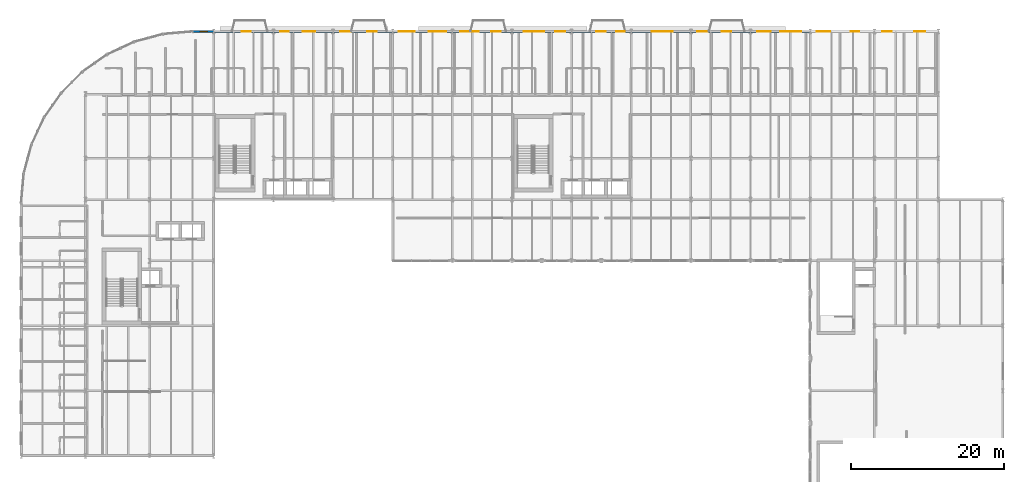
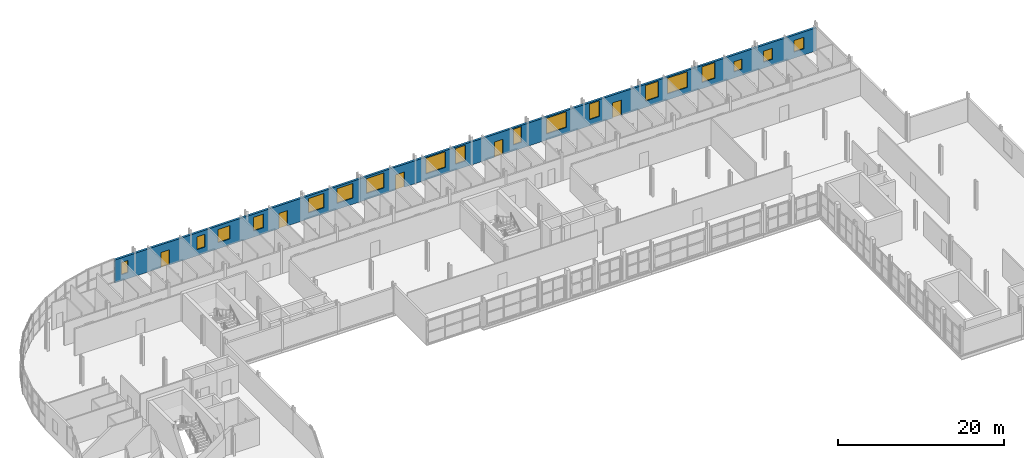
# One storey, part 38 of 45: 18 windows, 5 doors, 1 wall, 23 openings.
"""IFC4 building model written with IfcOpenShell, lengths in metres."""

from ifc_helpers import new_model, si_unit, direction, frame, frame_2d, origin, place, context, subcontext, project, spatial, rectangle, extrude, material, layer, layer_set, type_object, element, fill, save


model = new_model("IFC4")

# Units and contexts
model_context = context("Model", 3, precision=1e-05, world=origin(), true_north=direction((0.0, 1.0)))
body_context = subcontext(model_context, "Body", "Model", "MODEL_VIEW")
ifc_project = project(units=[si_unit("LENGTHUNIT", "METRE"), si_unit("AREAUNIT", "SQUARE_METRE"), si_unit("VOLUMEUNIT", "CUBIC_METRE"), si_unit("PLANEANGLEUNIT", "RADIAN"), si_unit("MASSUNIT", "GRAM", prefix="KILO")], contexts=[model_context])

# Site, building, storey
site_placement = place(None, origin())
site = spatial("IfcSite", under=ifc_project, at=site_placement, CompositionType="ELEMENT")
building_placement = place(site_placement, origin())
building = spatial("IfcBuilding", under=site, at=building_placement, Name="Sefraquen Railside Congress Hotel", CompositionType="ELEMENT")
storey_placement = place(building_placement, frame((0.0, 0.0, 20.39990234375)))
storey = spatial("IfcBuildingStorey", under=building, at=storey_placement, Name="L04", CompositionType="ELEMENT", Elevation=20.39990234375)

# Wall, openings, doors, windows
ifc_material_1 = material(Name="Ochre Rabat calcarenite limestone and Concrete C40/50 backing", Category="masonry")
ifc_layer = layer(ifc_material_1, 0.300048828125)
ifc_layer_set = layer_set([ifc_layer], Name="Ochre Rabat calcarenite limestone and Concrete C40/50 backing")
wall_type = type_object("IfcWallType", Name="TW-EW-300", PredefinedType="STANDARD", material=ifc_layer_set)
wall_placement = place(storey_placement, frame((22.5, 118.0, 0.0), z_axis=(0.0, 0.0, 1.0), x_axis=(1.0, 0.0, 0.0)))
wall = element("IfcWall", 1, at=wall_placement, inside=storey, type_object=wall_type, Name="Hotel L04 North Boulevard limestone facade wall", PredefinedType="STANDARD", context=body_context, shape_type="SweptSolid", body=[
    extrude(rectangle(XDim=97.5, YDim=0.300048828125, at=frame_2d((48.75, 0.0))), origin(), (0.0, 0.0, 1.0), 3.380126953125),
])
opening_1_placement = place(wall_placement, frame((0.909912109375, 0.0, 0.89990234375)))
opening_1 = element("IfcOpeningElement", 2, at=opening_1_placement, cuts=wall, Name="Opening WN-01", PredefinedType="OPENING", context=body_context, shape_type="SweptSolid", body=[
    extrude(rectangle(XDim=0.89990234375, YDim=1.800048828125, at=frame_2d((0.449951171875, 0.89990234375))), frame((0.0, 0.159912109375, 0.0), z_axis=(0.0, -1.0, 0.0), x_axis=(1.0, 0.0, 0.0)), (0.0, 0.0, 1.0), 0.320068359375),
])
opening_2_placement = place(wall_placement, frame((6.360107421875, 0.0, 0.0)))
opening_2 = element("IfcOpeningElement", 3, at=opening_2_placement, cuts=wall, Name="Opening BD-01", PredefinedType="OPENING", context=body_context, shape_type="SweptSolid", body=[
    extrude(rectangle(XDim=1.199951171875, YDim=2.25, at=frame_2d((0.60009765625, 1.125))), frame((0.0, 0.159912109375, 0.0), z_axis=(0.0, -1.0, 0.0), x_axis=(1.0, 0.0, 0.0)), (0.0, 0.0, 1.0), 0.320068359375),
])
opening_3_placement = place(wall_placement, frame((11.409912109375, 0.0, 0.89990234375)))
opening_3 = element("IfcOpeningElement", 4, at=opening_3_placement, cuts=wall, Name="Opening WN-03", PredefinedType="OPENING", context=body_context, shape_type="SweptSolid", body=[
    extrude(rectangle(XDim=1.10009765625, YDim=1.89990234375, at=frame_2d((0.550048828125, 0.949951171875))), frame((0.0, 0.159912109375, 0.0), z_axis=(0.0, -1.0, 0.0), x_axis=(1.0, 0.0, 0.0)), (0.0, 0.0, 1.0), 0.320068359375),
])
opening_4_placement = place(wall_placement, frame((14.3349609375, 0.0, 0.89990234375)))
opening_4 = element("IfcOpeningElement", 5, at=opening_4_placement, cuts=wall, Name="Opening WN-04", PredefinedType="OPENING", context=body_context, shape_type="SweptSolid", body=[
    extrude(rectangle(XDim=1.64990234375, YDim=1.949951171875, at=frame_2d((0.824951171875, 0.97509765625))), frame((0.0, 0.159912109375, 0.0), z_axis=(0.0, -1.0, 0.0), x_axis=(1.0, 0.0, 0.0)), (0.0, 0.0, 1.0), 0.320068359375),
])
opening_5_placement = place(wall_placement, frame((19.260009765625, 0.0, 0.89990234375)))
opening_5 = element("IfcOpeningElement", 6, at=opening_5_placement, cuts=wall, Name="Opening WN-05", PredefinedType="OPENING", context=body_context, shape_type="SweptSolid", body=[
    extrude(rectangle(XDim=1.35009765625, YDim=2.0, at=frame_2d((0.675048828125, 1.0))), frame((0.0, 0.159912109375, 0.0), z_axis=(0.0, -1.0, 0.0), x_axis=(1.0, 0.0, 0.0)), (0.0, 0.0, 1.0), 0.320068359375),
])
opening_6_placement = place(wall_placement, frame((22.800048828125, 0.0, 0.0)))
opening_6 = element("IfcOpeningElement", 7, at=opening_6_placement, cuts=wall, Name="Opening BD-01", PredefinedType="OPENING", context=body_context, shape_type="SweptSolid", body=[
    extrude(rectangle(XDim=1.199951171875, YDim=2.25, at=frame_2d((0.60009765625, 1.125))), frame((0.0, 0.159912109375, 0.0), z_axis=(0.0, -1.0, 0.0), x_axis=(1.0, 0.0, 0.0)), (0.0, 0.0, 1.0), 0.320068359375),
])
opening_7_placement = place(wall_placement, frame((26.909912109375, 0.0, 0.89990234375)))
opening_7 = element("IfcOpeningElement", 8, at=opening_7_placement, cuts=wall, Name="Opening WN-07", PredefinedType="OPENING", context=body_context, shape_type="SweptSolid", body=[
    extrude(rectangle(XDim=2.10009765625, YDim=2.10009765625, at=frame_2d((1.050048828125, 1.050048828125))), frame((0.0, 0.159912109375, 0.0), z_axis=(0.0, -1.0, 0.0), x_axis=(1.0, 0.0, 0.0)), (0.0, 0.0, 1.0), 0.320068359375),
])
opening_8_placement = place(wall_placement, frame((30.8349609375, 0.0, 0.89990234375)))
opening_8 = element("IfcOpeningElement", 9, at=opening_8_placement, cuts=wall, Name="Opening WN-08", PredefinedType="OPENING", context=body_context, shape_type="SweptSolid", body=[
    extrude(rectangle(XDim=2.25, YDim=2.14990234375, at=frame_2d((1.125, 1.074951171875))), frame((0.0, 0.159912109375, 0.0), z_axis=(0.0, -1.0, 0.0), x_axis=(1.0, 0.0, 0.0)), (0.0, 0.0, 1.0), 0.320068359375),
])
opening_9_placement = place(wall_placement, frame((34.9599609375, 0.0, 0.89990234375)))
opening_9 = element("IfcOpeningElement", 10, at=opening_9_placement, cuts=wall, Name="Opening WN-09", PredefinedType="OPENING", context=body_context, shape_type="SweptSolid", body=[
    extrude(rectangle(XDim=2.39990234375, YDim=2.199951171875, at=frame_2d((1.199951171875, 1.10009765625))), frame((0.0, 0.159912109375, 0.0), z_axis=(0.0, -1.0, 0.0), x_axis=(1.0, 0.0, 0.0)), (0.0, 0.0, 1.0), 0.320068359375),
])
opening_10_placement = place(wall_placement, frame((39.0, 0.0, 0.0)))
opening_10 = element("IfcOpeningElement", 11, at=opening_10_placement, cuts=wall, Name="Opening BD-01", PredefinedType="OPENING", context=body_context, shape_type="SweptSolid", body=[
    extrude(rectangle(XDim=1.199951171875, YDim=2.25, at=frame_2d((0.60009765625, 1.125))), frame((0.0, 0.159912109375, 0.0), z_axis=(0.0, -1.0, 0.0), x_axis=(1.0, 0.0, 0.0)), (0.0, 0.0, 1.0), 0.320068359375),
])
opening_11_placement = place(wall_placement, frame((43.2099609375, 0.0, 0.89990234375)))
opening_11 = element("IfcOpeningElement", 12, at=opening_11_placement, cuts=wall, Name="Opening WN-11", PredefinedType="OPENING", context=body_context, shape_type="SweptSolid", body=[
    extrude(rectangle(XDim=2.699951171875, YDim=2.300048828125, at=frame_2d((1.35009765625, 1.14990234375))), frame((0.0, 0.159912109375, 0.0), z_axis=(0.0, -1.0, 0.0), x_axis=(1.0, 0.0, 0.0)), (0.0, 0.0, 1.0), 0.320068359375),
])
opening_12_placement = place(wall_placement, frame((47.3349609375, 0.0, 0.89990234375)))
opening_12 = element("IfcOpeningElement", 13, at=opening_12_placement, cuts=wall, Name="Opening WN-12", PredefinedType="OPENING", context=body_context, shape_type="SweptSolid", body=[
    extrude(rectangle(XDim=1.35009765625, YDim=2.300048828125, at=frame_2d((0.675048828125, 1.14990234375))), frame((0.0, 0.159912109375, 0.0), z_axis=(0.0, -1.0, 0.0), x_axis=(1.0, 0.0, 0.0)), (0.0, 0.0, 1.0), 0.320068359375),
])
opening_13_placement = place(wall_placement, frame((52.739990234375, 0.0, 0.0)))
opening_13 = element("IfcOpeningElement", 14, at=opening_13_placement, cuts=wall, Name="Opening BD-01", PredefinedType="OPENING", context=body_context, shape_type="SweptSolid", body=[
    extrude(rectangle(XDim=1.199951171875, YDim=2.25, at=frame_2d((0.60009765625, 1.125))), frame((0.0, 0.159912109375, 0.0), z_axis=(0.0, -1.0, 0.0), x_axis=(1.0, 0.0, 0.0)), (0.0, 0.0, 1.0), 0.320068359375),
])
opening_14_placement = place(wall_placement, frame((55.360107421875, 0.0, 0.89990234375)))
opening_14 = element("IfcOpeningElement", 15, at=opening_14_placement, cuts=wall, Name="Opening WN-14", PredefinedType="OPENING", context=body_context, shape_type="SweptSolid", body=[
    extrude(rectangle(XDim=1.10009765625, YDim=2.300048828125, at=frame_2d((0.550048828125, 1.14990234375))), frame((0.0, 0.159912109375, 0.0), z_axis=(0.0, -1.0, 0.0), x_axis=(1.0, 0.0, 0.0)), (0.0, 0.0, 1.0), 0.320068359375),
])
opening_15_placement = place(wall_placement, frame((59.989990234375, 0.0, 0.89990234375)))
opening_15 = element("IfcOpeningElement", 16, at=opening_15_placement, cuts=wall, Name="Opening WN-15", PredefinedType="OPENING", context=body_context, shape_type="SweptSolid", body=[
    extrude(rectangle(XDim=2.739990234375, YDim=2.300048828125, at=frame_2d((1.3701171875, 1.14990234375))), frame((0.0, 0.159912109375, 0.0), z_axis=(0.0, -1.0, 0.0), x_axis=(1.0, 0.0, 0.0)), (0.0, 0.0, 1.0), 0.320068359375),
])
opening_16_placement = place(wall_placement, frame((65.949951171875, 0.0, 0.89990234375)))
opening_16 = element("IfcOpeningElement", 17, at=opening_16_placement, cuts=wall, Name="Opening WN-16", PredefinedType="OPENING", context=body_context, shape_type="SweptSolid", body=[
    extrude(rectangle(XDim=1.35009765625, YDim=2.300048828125, at=frame_2d((0.675048828125, 1.14990234375))), frame((0.0, 0.159912109375, 0.0), z_axis=(0.0, -1.0, 0.0), x_axis=(1.0, 0.0, 0.0)), (0.0, 0.0, 1.0), 0.320068359375),
])
opening_17_placement = place(wall_placement, frame((69.159912109375, 0.0, 0.0)))
opening_17 = element("IfcOpeningElement", 18, at=opening_17_placement, cuts=wall, Name="Opening BD-01", PredefinedType="OPENING", context=body_context, shape_type="SweptSolid", body=[
    extrude(rectangle(XDim=1.199951171875, YDim=2.25, at=frame_2d((0.60009765625, 1.125))), frame((0.0, 0.159912109375, 0.0), z_axis=(0.0, -1.0, 0.0), x_axis=(1.0, 0.0, 0.0)), (0.0, 0.0, 1.0), 0.320068359375),
])
opening_18_placement = place(wall_placement, frame((73.75, 0.0, 0.89990234375)))
opening_18 = element("IfcOpeningElement", 19, at=opening_18_placement, cuts=wall, Name="Opening WN-18", PredefinedType="OPENING", context=body_context, shape_type="SweptSolid", body=[
    extrude(rectangle(XDim=1.800048828125, YDim=2.300048828125, at=frame_2d((0.89990234375, 1.14990234375))), frame((0.0, 0.159912109375, 0.0), z_axis=(0.0, -1.0, 0.0), x_axis=(1.0, 0.0, 0.0)), (0.0, 0.0, 1.0), 0.320068359375),
])
opening_19_placement = place(wall_placement, frame((76.7900390625, 0.0, 0.89990234375)))
opening_19 = element("IfcOpeningElement", 20, at=opening_19_placement, cuts=wall, Name="Opening WN-19", PredefinedType="OPENING", context=body_context, shape_type="SweptSolid", body=[
    extrude(rectangle(XDim=2.739990234375, YDim=2.300048828125, at=frame_2d((1.3701171875, 1.14990234375))), frame((0.0, 0.159912109375, 0.0), z_axis=(0.0, -1.0, 0.0), x_axis=(1.0, 0.0, 0.0)), (0.0, 0.0, 1.0), 0.320068359375),
])
opening_20_placement = place(wall_placement, frame((81.550048828125, 0.0, 0.89990234375)))
opening_20 = element("IfcOpeningElement", 21, at=opening_20_placement, cuts=wall, Name="Opening WN-20", PredefinedType="OPENING", context=body_context, shape_type="SweptSolid", body=[
    extrude(rectangle(XDim=1.800048828125, YDim=2.300048828125, at=frame_2d((0.89990234375, 1.14990234375))), frame((0.0, 0.159912109375, 0.0), z_axis=(0.0, -1.0, 0.0), x_axis=(1.0, 0.0, 0.0)), (0.0, 0.0, 1.0), 0.320068359375),
])
opening_21_placement = place(wall_placement, frame((86.010009765625, 0.0, 0.89990234375)))
opening_21 = element("IfcOpeningElement", 22, at=opening_21_placement, cuts=wall, Name="Opening WN-21", PredefinedType="OPENING", context=body_context, shape_type="SweptSolid", body=[
    extrude(rectangle(XDim=1.10009765625, YDim=1.5, at=frame_2d((0.550048828125, 0.75))), frame((0.0, 0.159912109375, 0.0), z_axis=(0.0, -1.0, 0.0), x_axis=(1.0, 0.0, 0.0)), (0.0, 0.0, 1.0), 0.320068359375),
])
opening_22_placement = place(wall_placement, frame((90.135009765625, 0.0, 0.89990234375)))
opening_22 = element("IfcOpeningElement", 23, at=opening_22_placement, cuts=wall, Name="Opening WN-22", PredefinedType="OPENING", context=body_context, shape_type="SweptSolid", body=[
    extrude(rectangle(XDim=1.25, YDim=1.60009765625, at=frame_2d((0.625, 0.800048828125))), frame((0.0, 0.159912109375, 0.0), z_axis=(0.0, -1.0, 0.0), x_axis=(1.0, 0.0, 0.0)), (0.0, 0.0, 1.0), 0.320068359375),
])
opening_23_placement = place(wall_placement, frame((94.340087890625, 0.0, 0.89990234375)))
opening_23 = element("IfcOpeningElement", 24, at=opening_23_placement, cuts=wall, Name="Opening WN-23", PredefinedType="OPENING", context=body_context, shape_type="SweptSolid", body=[
    extrude(rectangle(XDim=1.39990234375, YDim=1.699951171875, at=frame_2d((0.699951171875, 0.85009765625))), frame((0.0, 0.159912109375, 0.0), z_axis=(0.0, -1.0, 0.0), x_axis=(1.0, 0.0, 0.0)), (0.0, 0.0, 1.0), 0.320068359375),
])
ifc_material_2 = material(Name="Bronze and low-E fire-rated glass", Category="glass")
door_type = type_object("IfcDoorType", Name="TD-BD-01", OperationType="NOTDEFINED", PredefinedType="DOOR", material=ifc_material_2)
door_1_placement = place(opening_2_placement, origin())
door_1 = element("IfcDoor", 25, at=door_1_placement, inside=storey, type_object=door_type, Name="Guest balcony glazed door SP-L04-RM-002", OperationType="SINGLE_SWING_LEFT", OverallHeight=2.25, OverallWidth=1.199951171875, PredefinedType="DOOR", context=body_context, shape_type="SweptSolid", body=[
    extrude(rectangle(XDim=1.199951171875, YDim=2.25, at=frame_2d((0.60009765625, 1.125))), frame((0.0, 0.02490234375, 0.0), z_axis=(0.0, -1.0, 0.0), x_axis=(1.0, 0.0, 0.0)), (0.0, 0.0, 1.0), 0.050048828125),
])
fill(opening_2, door_1)
door_2_placement = place(opening_6_placement, origin())
door_2 = element("IfcDoor", 26, at=door_2_placement, inside=storey, type_object=door_type, Name="Guest balcony glazed door SP-L04-RM-006", OperationType="SINGLE_SWING_LEFT", OverallHeight=2.25, OverallWidth=1.199951171875, PredefinedType="DOOR", context=body_context, shape_type="SweptSolid", body=[
    extrude(rectangle(XDim=1.199951171875, YDim=2.25, at=frame_2d((0.60009765625, 1.125))), frame((0.0, 0.02490234375, 0.0), z_axis=(0.0, -1.0, 0.0), x_axis=(1.0, 0.0, 0.0)), (0.0, 0.0, 1.0), 0.050048828125),
])
fill(opening_6, door_2)
door_3_placement = place(opening_10_placement, origin())
door_3 = element("IfcDoor", 27, at=door_3_placement, inside=storey, type_object=door_type, Name="Guest balcony glazed door SP-L04-RM-010", OperationType="SINGLE_SWING_LEFT", OverallHeight=2.25, OverallWidth=1.199951171875, PredefinedType="DOOR", context=body_context, shape_type="SweptSolid", body=[
    extrude(rectangle(XDim=1.199951171875, YDim=2.25, at=frame_2d((0.60009765625, 1.125))), frame((0.0, 0.02490234375, 0.0), z_axis=(0.0, -1.0, 0.0), x_axis=(1.0, 0.0, 0.0)), (0.0, 0.0, 1.0), 0.050048828125),
])
fill(opening_10, door_3)
door_4_placement = place(opening_13_placement, origin())
door_4 = element("IfcDoor", 28, at=door_4_placement, inside=storey, type_object=door_type, Name="Guest balcony glazed door SP-L04-RM-013", OperationType="SINGLE_SWING_RIGHT", OverallHeight=2.25, OverallWidth=1.199951171875, PredefinedType="DOOR", context=body_context, shape_type="SweptSolid", body=[
    extrude(rectangle(XDim=1.199951171875, YDim=2.25, at=frame_2d((0.60009765625, 1.125))), frame((0.0, 0.02490234375, 0.0), z_axis=(0.0, -1.0, 0.0), x_axis=(1.0, 0.0, 0.0)), (0.0, 0.0, 1.0), 0.050048828125),
])
fill(opening_13, door_4)
door_5_placement = place(opening_17_placement, origin())
door_5 = element("IfcDoor", 29, at=door_5_placement, inside=storey, type_object=door_type, Name="Guest balcony glazed door SP-L04-RM-017", OperationType="SINGLE_SWING_RIGHT", OverallHeight=2.25, OverallWidth=1.199951171875, PredefinedType="DOOR", context=body_context, shape_type="SweptSolid", body=[
    extrude(rectangle(XDim=1.199951171875, YDim=2.25, at=frame_2d((0.60009765625, 1.125))), frame((0.0, 0.02490234375, 0.0), z_axis=(0.0, -1.0, 0.0), x_axis=(1.0, 0.0, 0.0)), (0.0, 0.0, 1.0), 0.050048828125),
])
fill(opening_17, door_5)
ifc_material_3 = material(Name="Solar-control low-E double glazing in bronze-anodised frame", Category="glass")
window_type_1 = type_object("IfcWindowType", Name="TWN-W-01", PartitioningType="DOUBLE_PANEL_VERTICAL", PredefinedType="WINDOW", material=ifc_material_3)
window_1_placement = place(opening_1_placement, origin())
window_1 = element("IfcWindow", 30, at=window_1_placement, inside=storey, type_object=window_type_1, Name="Guest room north window SP-L04-RM-001", OverallHeight=1.800048828125, OverallWidth=0.89990234375, PartitioningType="DOUBLE_PANEL_VERTICAL", PredefinedType="WINDOW", context=body_context, shape_type="SweptSolid", body=[
    extrude(rectangle(XDim=0.89990234375, YDim=1.800048828125, at=frame_2d((0.449951171875, 0.89990234375))), frame((0.0, 0.030029296875, 0.0), z_axis=(0.0, -1.0, 0.0), x_axis=(1.0, 0.0, 0.0)), (0.0, 0.0, 1.0), 0.06005859375),
])
fill(opening_1, window_1)
window_type_2 = type_object("IfcWindowType", Name="TWN-W-03", PartitioningType="DOUBLE_PANEL_VERTICAL", PredefinedType="WINDOW", material=ifc_material_3)
window_2_placement = place(opening_3_placement, origin())
window_2 = element("IfcWindow", 31, at=window_2_placement, inside=storey, type_object=window_type_2, Name="Guest room north window SP-L04-RM-003", OverallHeight=1.89990234375, OverallWidth=1.10009765625, PartitioningType="DOUBLE_PANEL_VERTICAL", PredefinedType="WINDOW", context=body_context, shape_type="SweptSolid", body=[
    extrude(rectangle(XDim=1.10009765625, YDim=1.89990234375, at=frame_2d((0.550048828125, 0.949951171875))), frame((0.0, 0.030029296875, 0.0), z_axis=(0.0, -1.0, 0.0), x_axis=(1.0, 0.0, 0.0)), (0.0, 0.0, 1.0), 0.06005859375),
])
fill(opening_3, window_2)
window_type_3 = type_object("IfcWindowType", Name="TWN-W-04", PartitioningType="DOUBLE_PANEL_VERTICAL", PredefinedType="WINDOW", material=ifc_material_3)
window_3_placement = place(opening_4_placement, origin())
window_3 = element("IfcWindow", 32, at=window_3_placement, inside=storey, type_object=window_type_3, Name="Guest room north window SP-L04-RM-004", OverallHeight=1.949951171875, OverallWidth=1.64990234375, PartitioningType="DOUBLE_PANEL_VERTICAL", PredefinedType="WINDOW", context=body_context, shape_type="SweptSolid", body=[
    extrude(rectangle(XDim=1.64990234375, YDim=1.949951171875, at=frame_2d((0.824951171875, 0.97509765625))), frame((0.0, 0.030029296875, 0.0), z_axis=(0.0, -1.0, 0.0), x_axis=(1.0, 0.0, 0.0)), (0.0, 0.0, 1.0), 0.06005859375),
])
fill(opening_4, window_3)
window_type_4 = type_object("IfcWindowType", Name="TWN-W-05", PartitioningType="DOUBLE_PANEL_VERTICAL", PredefinedType="WINDOW", material=ifc_material_3)
window_4_placement = place(opening_5_placement, origin())
window_4 = element("IfcWindow", 33, at=window_4_placement, inside=storey, type_object=window_type_4, Name="Guest room north window SP-L04-RM-005", OverallHeight=2.0, OverallWidth=1.35009765625, PartitioningType="DOUBLE_PANEL_VERTICAL", PredefinedType="WINDOW", context=body_context, shape_type="SweptSolid", body=[
    extrude(rectangle(XDim=1.35009765625, YDim=2.0, at=frame_2d((0.675048828125, 1.0))), frame((0.0, 0.030029296875, 0.0), z_axis=(0.0, -1.0, 0.0), x_axis=(1.0, 0.0, 0.0)), (0.0, 0.0, 1.0), 0.06005859375),
])
fill(opening_5, window_4)
window_type_5 = type_object("IfcWindowType", Name="TWN-W-07", PartitioningType="DOUBLE_PANEL_VERTICAL", PredefinedType="WINDOW", material=ifc_material_3)
window_5_placement = place(opening_7_placement, origin())
window_5 = element("IfcWindow", 34, at=window_5_placement, inside=storey, type_object=window_type_5, Name="Guest room north window SP-L04-RM-007", OverallHeight=2.10009765625, OverallWidth=2.10009765625, PartitioningType="DOUBLE_PANEL_VERTICAL", PredefinedType="WINDOW", context=body_context, shape_type="SweptSolid", body=[
    extrude(rectangle(XDim=2.10009765625, YDim=2.10009765625, at=frame_2d((1.050048828125, 1.050048828125))), frame((0.0, 0.030029296875, 0.0), z_axis=(0.0, -1.0, 0.0), x_axis=(1.0, 0.0, 0.0)), (0.0, 0.0, 1.0), 0.06005859375),
])
fill(opening_7, window_5)
window_type_6 = type_object("IfcWindowType", Name="TWN-W-08", PartitioningType="DOUBLE_PANEL_VERTICAL", PredefinedType="WINDOW", material=ifc_material_3)
window_6_placement = place(opening_8_placement, origin())
window_6 = element("IfcWindow", 35, at=window_6_placement, inside=storey, type_object=window_type_6, Name="Guest room north window SP-L04-RM-008", OverallHeight=2.14990234375, OverallWidth=2.25, PartitioningType="DOUBLE_PANEL_VERTICAL", PredefinedType="WINDOW", context=body_context, shape_type="SweptSolid", body=[
    extrude(rectangle(XDim=2.25, YDim=2.14990234375, at=frame_2d((1.125, 1.074951171875))), frame((0.0, 0.030029296875, 0.0), z_axis=(0.0, -1.0, 0.0), x_axis=(1.0, 0.0, 0.0)), (0.0, 0.0, 1.0), 0.06005859375),
])
fill(opening_8, window_6)
window_type_7 = type_object("IfcWindowType", Name="TWN-W-09", PartitioningType="DOUBLE_PANEL_VERTICAL", PredefinedType="WINDOW", material=ifc_material_3)
window_7_placement = place(opening_9_placement, origin())
window_7 = element("IfcWindow", 36, at=window_7_placement, inside=storey, type_object=window_type_7, Name="Guest room north window SP-L04-RM-009", OverallHeight=2.199951171875, OverallWidth=2.39990234375, PartitioningType="DOUBLE_PANEL_VERTICAL", PredefinedType="WINDOW", context=body_context, shape_type="SweptSolid", body=[
    extrude(rectangle(XDim=2.39990234375, YDim=2.199951171875, at=frame_2d((1.199951171875, 1.10009765625))), frame((0.0, 0.030029296875, 0.0), z_axis=(0.0, -1.0, 0.0), x_axis=(1.0, 0.0, 0.0)), (0.0, 0.0, 1.0), 0.06005859375),
])
fill(opening_9, window_7)
window_type_8 = type_object("IfcWindowType", Name="TWN-W-11", PartitioningType="DOUBLE_PANEL_VERTICAL", PredefinedType="WINDOW", material=ifc_material_3)
window_8_placement = place(opening_11_placement, origin())
window_8 = element("IfcWindow", 37, at=window_8_placement, inside=storey, type_object=window_type_8, Name="Guest room north window SP-L04-RM-011", OverallHeight=2.300048828125, OverallWidth=2.699951171875, PartitioningType="DOUBLE_PANEL_VERTICAL", PredefinedType="WINDOW", context=body_context, shape_type="SweptSolid", body=[
    extrude(rectangle(XDim=2.699951171875, YDim=2.300048828125, at=frame_2d((1.35009765625, 1.14990234375))), frame((0.0, 0.030029296875, 0.0), z_axis=(0.0, -1.0, 0.0), x_axis=(1.0, 0.0, 0.0)), (0.0, 0.0, 1.0), 0.06005859375),
])
fill(opening_11, window_8)
window_type_9 = type_object("IfcWindowType", Name="TWN-W-12", PartitioningType="DOUBLE_PANEL_VERTICAL", PredefinedType="WINDOW", material=ifc_material_3)
window_9_placement = place(opening_12_placement, origin())
window_9 = element("IfcWindow", 38, at=window_9_placement, inside=storey, type_object=window_type_9, Name="Guest room north window SP-L04-RM-012", OverallHeight=2.300048828125, OverallWidth=1.35009765625, PartitioningType="DOUBLE_PANEL_VERTICAL", PredefinedType="WINDOW", context=body_context, shape_type="SweptSolid", body=[
    extrude(rectangle(XDim=1.35009765625, YDim=2.300048828125, at=frame_2d((0.675048828125, 1.14990234375))), frame((0.0, 0.030029296875, 0.0), z_axis=(0.0, -1.0, 0.0), x_axis=(1.0, 0.0, 0.0)), (0.0, 0.0, 1.0), 0.06005859375),
])
fill(opening_12, window_9)
window_type_10 = type_object("IfcWindowType", Name="TWN-W-14", PartitioningType="DOUBLE_PANEL_VERTICAL", PredefinedType="WINDOW", material=ifc_material_3)
window_10_placement = place(opening_14_placement, origin())
window_10 = element("IfcWindow", 39, at=window_10_placement, inside=storey, type_object=window_type_10, Name="Guest room north window SP-L04-RM-014", OverallHeight=2.300048828125, OverallWidth=1.10009765625, PartitioningType="DOUBLE_PANEL_VERTICAL", PredefinedType="WINDOW", context=body_context, shape_type="SweptSolid", body=[
    extrude(rectangle(XDim=1.10009765625, YDim=2.300048828125, at=frame_2d((0.550048828125, 1.14990234375))), frame((0.0, 0.030029296875, 0.0), z_axis=(0.0, -1.0, 0.0), x_axis=(1.0, 0.0, 0.0)), (0.0, 0.0, 1.0), 0.06005859375),
])
fill(opening_14, window_10)
window_type_11 = type_object("IfcWindowType", Name="TWN-W-15", PartitioningType="DOUBLE_PANEL_VERTICAL", PredefinedType="WINDOW", material=ifc_material_3)
window_11_placement = place(opening_15_placement, origin())
window_11 = element("IfcWindow", 40, at=window_11_placement, inside=storey, type_object=window_type_11, Name="Guest room north window SP-L04-RM-015", OverallHeight=2.300048828125, OverallWidth=2.739990234375, PartitioningType="DOUBLE_PANEL_VERTICAL", PredefinedType="WINDOW", context=body_context, shape_type="SweptSolid", body=[
    extrude(rectangle(XDim=2.739990234375, YDim=2.300048828125, at=frame_2d((1.3701171875, 1.14990234375))), frame((0.0, 0.030029296875, 0.0), z_axis=(0.0, -1.0, 0.0), x_axis=(1.0, 0.0, 0.0)), (0.0, 0.0, 1.0), 0.06005859375),
])
fill(opening_15, window_11)
window_type_12 = type_object("IfcWindowType", Name="TWN-W-16", PartitioningType="DOUBLE_PANEL_VERTICAL", PredefinedType="WINDOW", material=ifc_material_3)
window_12_placement = place(opening_16_placement, origin())
window_12 = element("IfcWindow", 41, at=window_12_placement, inside=storey, type_object=window_type_12, Name="Guest room north window SP-L04-RM-016", OverallHeight=2.300048828125, OverallWidth=1.35009765625, PartitioningType="DOUBLE_PANEL_VERTICAL", PredefinedType="WINDOW", context=body_context, shape_type="SweptSolid", body=[
    extrude(rectangle(XDim=1.35009765625, YDim=2.300048828125, at=frame_2d((0.675048828125, 1.14990234375))), frame((0.0, 0.030029296875, 0.0), z_axis=(0.0, -1.0, 0.0), x_axis=(1.0, 0.0, 0.0)), (0.0, 0.0, 1.0), 0.06005859375),
])
fill(opening_16, window_12)
window_type_13 = type_object("IfcWindowType", Name="TWN-W-18", PartitioningType="DOUBLE_PANEL_VERTICAL", PredefinedType="WINDOW", material=ifc_material_3)
window_13_placement = place(opening_18_placement, origin())
window_13 = element("IfcWindow", 42, at=window_13_placement, inside=storey, type_object=window_type_13, Name="Guest room north window SP-L04-RM-018", OverallHeight=2.300048828125, OverallWidth=1.800048828125, PartitioningType="DOUBLE_PANEL_VERTICAL", PredefinedType="WINDOW", context=body_context, shape_type="SweptSolid", body=[
    extrude(rectangle(XDim=1.800048828125, YDim=2.300048828125, at=frame_2d((0.89990234375, 1.14990234375))), frame((0.0, 0.030029296875, 0.0), z_axis=(0.0, -1.0, 0.0), x_axis=(1.0, 0.0, 0.0)), (0.0, 0.0, 1.0), 0.06005859375),
])
fill(opening_18, window_13)
window_type_14 = type_object("IfcWindowType", Name="TWN-W-19", PartitioningType="DOUBLE_PANEL_VERTICAL", PredefinedType="WINDOW", material=ifc_material_3)
window_14_placement = place(opening_19_placement, origin())
window_14 = element("IfcWindow", 43, at=window_14_placement, inside=storey, type_object=window_type_14, Name="Guest room north window SP-L04-RM-019", OverallHeight=2.300048828125, OverallWidth=2.739990234375, PartitioningType="DOUBLE_PANEL_VERTICAL", PredefinedType="WINDOW", context=body_context, shape_type="SweptSolid", body=[
    extrude(rectangle(XDim=2.739990234375, YDim=2.300048828125, at=frame_2d((1.3701171875, 1.14990234375))), frame((0.0, 0.030029296875, 0.0), z_axis=(0.0, -1.0, 0.0), x_axis=(1.0, 0.0, 0.0)), (0.0, 0.0, 1.0), 0.06005859375),
])
fill(opening_19, window_14)
window_type_15 = type_object("IfcWindowType", Name="TWN-W-20", PartitioningType="DOUBLE_PANEL_VERTICAL", PredefinedType="WINDOW", material=ifc_material_3)
window_15_placement = place(opening_20_placement, origin())
window_15 = element("IfcWindow", 44, at=window_15_placement, inside=storey, type_object=window_type_15, Name="Guest room north window SP-L04-RM-020", OverallHeight=2.300048828125, OverallWidth=1.800048828125, PartitioningType="DOUBLE_PANEL_VERTICAL", PredefinedType="WINDOW", context=body_context, shape_type="SweptSolid", body=[
    extrude(rectangle(XDim=1.800048828125, YDim=2.300048828125, at=frame_2d((0.89990234375, 1.14990234375))), frame((0.0, 0.030029296875, 0.0), z_axis=(0.0, -1.0, 0.0), x_axis=(1.0, 0.0, 0.0)), (0.0, 0.0, 1.0), 0.06005859375),
])
fill(opening_20, window_15)
window_type_16 = type_object("IfcWindowType", Name="TWN-W-21", PartitioningType="DOUBLE_PANEL_VERTICAL", PredefinedType="WINDOW", material=ifc_material_3)
window_16_placement = place(opening_21_placement, origin())
window_16 = element("IfcWindow", 45, at=window_16_placement, inside=storey, type_object=window_type_16, Name="Guest room north window SP-L04-RM-021", OverallHeight=1.5, OverallWidth=1.10009765625, PartitioningType="DOUBLE_PANEL_VERTICAL", PredefinedType="WINDOW", context=body_context, shape_type="SweptSolid", body=[
    extrude(rectangle(XDim=1.10009765625, YDim=1.5, at=frame_2d((0.550048828125, 0.75))), frame((0.0, 0.030029296875, 0.0), z_axis=(0.0, -1.0, 0.0), x_axis=(1.0, 0.0, 0.0)), (0.0, 0.0, 1.0), 0.06005859375),
])
fill(opening_21, window_16)
window_type_17 = type_object("IfcWindowType", Name="TWN-W-22", PartitioningType="DOUBLE_PANEL_VERTICAL", PredefinedType="WINDOW", material=ifc_material_3)
window_17_placement = place(opening_22_placement, origin())
window_17 = element("IfcWindow", 46, at=window_17_placement, inside=storey, type_object=window_type_17, Name="Guest room north window SP-L04-RM-022", OverallHeight=1.60009765625, OverallWidth=1.25, PartitioningType="DOUBLE_PANEL_VERTICAL", PredefinedType="WINDOW", context=body_context, shape_type="SweptSolid", body=[
    extrude(rectangle(XDim=1.25, YDim=1.60009765625, at=frame_2d((0.625, 0.800048828125))), frame((0.0, 0.030029296875, 0.0), z_axis=(0.0, -1.0, 0.0), x_axis=(1.0, 0.0, 0.0)), (0.0, 0.0, 1.0), 0.06005859375),
])
fill(opening_22, window_17)
window_type_18 = type_object("IfcWindowType", Name="TWN-W-23", PartitioningType="DOUBLE_PANEL_VERTICAL", PredefinedType="WINDOW", material=ifc_material_3)
window_18_placement = place(opening_23_placement, origin())
window_18 = element("IfcWindow", 47, at=window_18_placement, inside=storey, type_object=window_type_18, Name="Guest room north window SP-L04-RM-023", OverallHeight=1.699951171875, OverallWidth=1.39990234375, PartitioningType="DOUBLE_PANEL_VERTICAL", PredefinedType="WINDOW", context=body_context, shape_type="SweptSolid", body=[
    extrude(rectangle(XDim=1.39990234375, YDim=1.699951171875, at=frame_2d((0.699951171875, 0.85009765625))), frame((0.0, 0.030029296875, 0.0), z_axis=(0.0, -1.0, 0.0), x_axis=(1.0, 0.0, 0.0)), (0.0, 0.0, 1.0), 0.06005859375),
])
fill(opening_23, window_18)

save(model, "model.ifc")
